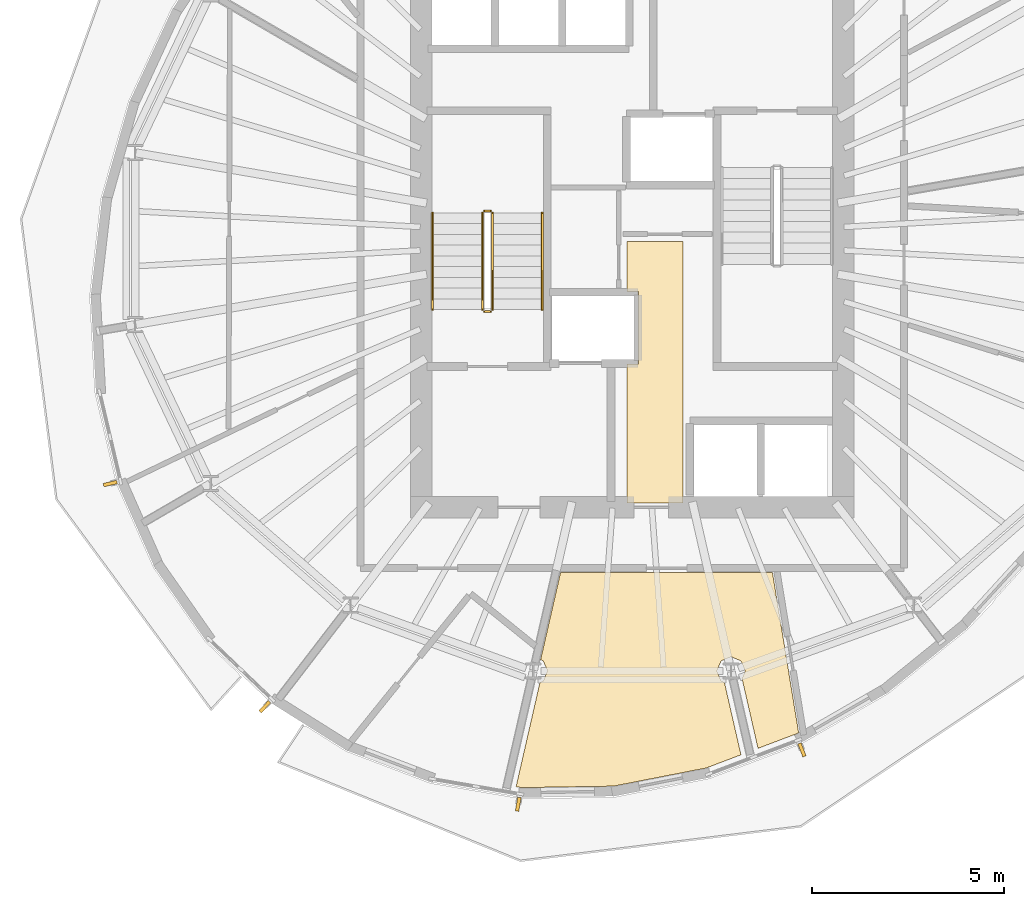
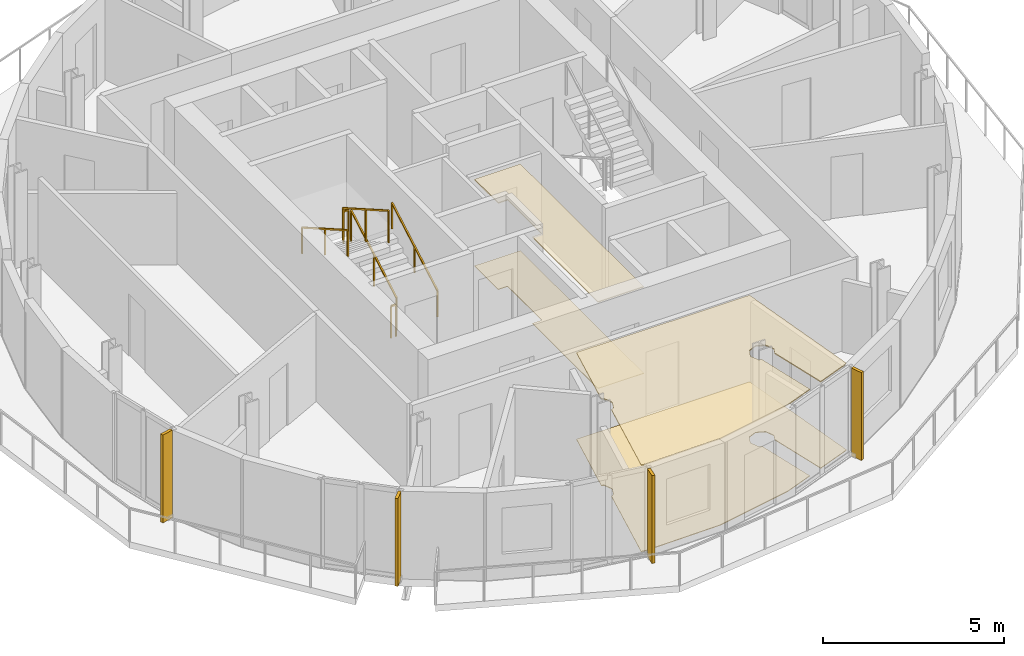
# One storey, part 8 of 11: 6 railings, 4 coverings, 4 shading devices.
"""IFC4 building model written with IfcOpenShell, lengths in metres."""

import ifcopenshell
import ifcopenshell.guid

model = None  # the IFC model being written
_history = None  # IfcOwnerHistory: only IFC2X3 demands one
_inside = {}  # id of a spatial element -> (the spatial element, [elements in it])
_under = {}  # id of a project, library or spatial element -> (it, [spatial elements below it])
_declared = {}  # id of a project -> (the project, [libraries it declares])
_typed = {}  # id of a type object -> (the type object, [elements of that type])
_made_of = {}  # id of a material, layer set ... -> (it, [elements and type objects made of it])


def new_model(schema):
    """Start an empty IFC model of exactly this schema.

    Asked for "IFC4X3", IfcOpenShell would pick the latest addendum, in which some entities
    have other attributes; the version numbers below select the first issue.
    IFC2X3 requires an IfcOwnerHistory on every rooted entity: one is made here for all.
    """
    global model, _history
    if schema == "IFC4X3":
        model = ifcopenshell.file(schema_version=(4, 3, 0, 0))
    else:
        model = ifcopenshell.file(schema=schema)
    _inside.clear()
    _under.clear()
    _declared.clear()
    _typed.clear()
    _made_of.clear()
    _history = None
    if model.schema == "IFC2X3":
        org = make("IfcOrganization", Name="unknown")
        user = make(
            "IfcPersonAndOrganization",
            ThePerson=make("IfcPerson", FamilyName="unknown"),
            TheOrganization=org,
        )
        app = make(
            "IfcApplication",
            ApplicationDeveloper=org,
            Version="unknown",
            ApplicationFullName="unknown",
            ApplicationIdentifier="unknown",
        )
        _history = make(
            "IfcOwnerHistory",
            OwningUser=user,
            OwningApplication=app,
            ChangeAction="ADDED",
            CreationDate=0,
        )
    return model


def make(cls, **values):
    """One entity of the class cls with the attributes given. An attribute that is None is left unset."""
    return model.create_entity(
        cls, **{name: value for name, value in values.items() if value is not None}
    )


def rooted(cls, **values):
    """An entity with a GlobalId (a new one), such as an element, a storey or a relation."""
    return make(cls, GlobalId=ifcopenshell.guid.new(), OwnerHistory=_history, **values)


def si_unit(unit_type, name, prefix=None):
    """IfcSIUnit, for example si_unit("LENGTHUNIT", "METRE", prefix="MILLI")."""
    return make("IfcSIUnit", UnitType=unit_type, Prefix=prefix, Name=name)


def assignment(units):
    """IfcUnitAssignment: the units of a project."""
    return None if units is None else make("IfcUnitAssignment", Units=units)


def point(xyz):
    """IfcCartesianPoint."""
    return None if xyz is None else make("IfcCartesianPoint", Coordinates=xyz)


def direction(xyz):
    """IfcDirection."""
    return None if xyz is None else make("IfcDirection", DirectionRatios=xyz)


def frame(location, z_axis=None, x_axis=None):
    """IfcAxis2Placement3D, a coordinate frame: its origin and axes. An axis left out is left unset."""
    return make(
        "IfcAxis2Placement3D",
        Location=point(location),
        Axis=direction(z_axis),
        RefDirection=direction(x_axis),
    )


def frame_2d(location, x_axis=None):
    """IfcAxis2Placement2D, a coordinate frame in the plane: its origin and x axis."""
    return make(
        "IfcAxis2Placement2D", Location=point(location), RefDirection=direction(x_axis)
    )


def origin():
    """The frame at (0, 0, 0) with its axes left unset."""
    return frame((0.0, 0.0, 0.0))


def origin_2d():
    """The frame at (0, 0) in the plane with its x axis left unset."""
    return frame_2d((0.0, 0.0))


def place(relative_to, where):
    """IfcLocalPlacement: puts the frame where relative to a parent placement (None: the world)."""
    return make(
        "IfcLocalPlacement", PlacementRelTo=relative_to, RelativePlacement=where
    )


def context(
    kind, dimensions, precision=None, world=None, true_north=None, identifier=None
):
    """IfcGeometricRepresentationContext, for example the 3D "Model" context."""
    return make(
        "IfcGeometricRepresentationContext",
        ContextIdentifier=identifier,
        ContextType=kind,
        CoordinateSpaceDimension=dimensions,
        Precision=precision,
        WorldCoordinateSystem=world,
        TrueNorth=true_north,
    )


def subcontext(parent, identifier, kind, view, scale=None):
    """IfcGeometricRepresentationSubContext, for example "Body" below "Model"."""
    return make(
        "IfcGeometricRepresentationSubContext",
        ContextIdentifier=identifier,
        ContextType=kind,
        ParentContext=parent,
        TargetScale=scale,
        TargetView=view,
    )


def project(units=None, contexts=None):
    """IfcProject with its units and contexts."""
    return rooted(
        "IfcProject",
        Name="project",
        RepresentationContexts=contexts,
        UnitsInContext=assignment(units),
    )


def spatial(cls, under=None, at=None, **own):
    """A site, building, storey or space (cls), placed at a placement, below another one or the project."""
    s = rooted(cls, ObjectPlacement=at, **own)
    if under is not None:
        _under.setdefault(under.id(), (under, []))[1].append(s)
    return s


def polyline(points):
    """IfcPolyline through the points."""
    return make("IfcPolyline", Points=[point(p) for p in points])


def profile(cls, at=None, kind="AREA", **sizes):
    """A parametric profile (cls). Its sizes go by their IFC names, for example OverallWidth=200.0."""
    return make(cls, ProfileType=kind, Position=at, **sizes)


def rectangle(**sizes):
    """IfcRectangleProfileDef."""
    return profile("IfcRectangleProfileDef", **sizes)


def outline(outer, holes=None, kind="AREA"):
    """IfcArbitraryClosedProfileDef: a profile drawn as a closed curve; with holes, ...WithVoids."""
    if holes is None:
        return make("IfcArbitraryClosedProfileDef", ProfileType=kind, OuterCurve=outer)
    return make(
        "IfcArbitraryProfileDefWithVoids",
        ProfileType=kind,
        OuterCurve=outer,
        InnerCurves=holes,
    )


def extrude(swept, where, along, depth):
    """IfcExtrudedAreaSolid: the profile swept, set in the frame where, extruded along a direction by depth."""
    return make(
        "IfcExtrudedAreaSolid",
        SweptArea=swept,
        Position=where,
        ExtrudedDirection=direction(along),
        Depth=depth,
    )


def shape(context_of_items, identifier, shape_type, items):
    """IfcShapeRepresentation: the items that make up one representation, for example the "Body"."""
    return make(
        "IfcShapeRepresentation",
        ContextOfItems=context_of_items,
        RepresentationIdentifier=identifier,
        RepresentationType=shape_type,
        Items=items,
    )


def material(Name=None, Category=None):
    """IfcMaterial."""
    return make("IfcMaterial", Name=Name, Category=Category)


def layer(
    of_material, thickness, ventilated=None, Name=None, Category=None, Priority=None
):
    """IfcMaterialLayer: one layer of a wall or slab, of a material (None: an air gap)."""
    return make(
        "IfcMaterialLayer",
        Material=of_material,
        LayerThickness=thickness,
        IsVentilated=ventilated,
        Name=Name,
        Category=Category,
        Priority=Priority,
    )


def layer_set(layers, Name=None):
    """IfcMaterialLayerSet."""
    return make("IfcMaterialLayerSet", MaterialLayers=layers, LayerSetName=Name)


def made_of(thing, what):
    """Note that an element or type object is made of a material, layer set ...; save() writes the relation."""
    if what is not None:
        _made_of.setdefault(what.id(), (what, []))[1].append(thing)
    return thing


def type_object(cls, material=None, **own):
    """A type object (cls), such as IfcWallType, which elements share."""
    return made_of(rooted(cls, **own), material)


def element(
    cls,
    number,
    at=None,
    inside=None,
    cuts=None,
    type_object=None,
    material=None,
    context=None,
    identifier="Body",
    shape_type=None,
    held_by="IfcProductDefinitionShape",
    body=None,
    shapes=None,
    **own,
):
    """One element of the class cls, such as IfcWall. Its Tag is "e" and its number.

    at: its placement. inside: the storey or other place that contains it. cuts: it is an
    opening in that element (IfcRelVoidsElement). A single representation is given by context,
    identifier, shape_type and body (its items); several are given by shapes. held_by: the class
    of the entity that holds the representations. save() writes the other relations.
    """
    e = rooted(cls, Tag="e%d" % number, ObjectPlacement=at, **own)
    if body is not None:
        shapes = [shape(context, identifier, shape_type, body)]
    if shapes is not None:
        e.Representation = make(held_by, Representations=shapes)
    if inside is not None:
        _inside.setdefault(inside.id(), (inside, []))[1].append(e)
    if cuts is not None:
        rooted(
            "IfcRelVoidsElement", RelatingBuildingElement=cuts, RelatedOpeningElement=e
        )
    if type_object is not None:
        _typed.setdefault(type_object.id(), (type_object, []))[1].append(e)
    return made_of(e, material)


def aggregate(whole, parts):
    """IfcRelAggregates: a whole, such as a stair, and the parts it consists of."""
    return rooted("IfcRelAggregates", RelatingObject=whole, RelatedObjects=parts)


def save(model, path):
    """Write the relations noted so far, then the file.

    IfcRelAggregates (storeys below a building ...), IfcRelContainedInSpatialStructure (elements
    in a storey), IfcRelDefinesByType, IfcRelAssociatesMaterial and IfcRelDeclares: one each for
    every whole, place, type object, material and project.
    """
    for whole, parts in _under.values():
        aggregate(whole, parts)
    for where, things in _inside.values():
        rooted(
            "IfcRelContainedInSpatialStructure",
            RelatedElements=things,
            RelatingStructure=where,
        )
    for kind, things in _typed.values():
        rooted("IfcRelDefinesByType", RelatedObjects=things, RelatingType=kind)
    for what, things in _made_of.values():
        rooted("IfcRelAssociatesMaterial", RelatedObjects=things, RelatingMaterial=what)
    for by, libraries in _declared.values():
        rooted("IfcRelDeclares", RelatingContext=by, RelatedDefinitions=libraries)
    model.write(path)


model = new_model("IFC4")

# Units and contexts
model_context = context("Model", 3, precision=1e-05, world=origin(), true_north=direction((0.0, 1.0)))
body_context = subcontext(model_context, "Body", "Model", "MODEL_VIEW")
ifc_project = project(units=[si_unit("LENGTHUNIT", "METRE"), si_unit("AREAUNIT", "SQUARE_METRE"), si_unit("VOLUMEUNIT", "CUBIC_METRE"), si_unit("PLANEANGLEUNIT", "RADIAN"), si_unit("MASSUNIT", "GRAM", prefix="KILO")], contexts=[model_context])

# Site, building, storey
site_placement = place(None, origin())
site = spatial("IfcSite", under=ifc_project, at=site_placement, CompositionType="ELEMENT")
building_placement = place(site_placement, origin())
building = spatial("IfcBuilding", under=site, at=building_placement, Name="Veldorim Arch Residences", CompositionType="ELEMENT")
storey_placement = place(building_placement, frame((0.0, 0.0, 207.840087890625)))
storey = spatial("IfcBuildingStorey", under=building, at=storey_placement, Name="L62", CompositionType="ELEMENT", Elevation=207.840087890625)

# Railings
ifc_material_1 = material(Name="Steel S355", Category="steel")
railing_type_1 = type_object("IfcRailingType", Name="Galvanised Steel Stair Safety Guardrail 1100", PredefinedType="GUARDRAIL", material=ifc_material_1)
railing_1_placement = place(storey_placement, frame((28.360107421875, 22.14990234375, 0.159912109375)))
element("IfcRailing", 1, at=railing_1_placement, inside=storey, type_object=railing_type_1, Name="L62 ST-1 stair guard 1", PredefinedType="GUARDRAIL", context=body_context, shape_type="SweptSolid", body=[
    extrude(rectangle(XDim=0.048095703125, YDim=0.048095703125, at=origin_2d()), frame((0.0, 0.0, 1.076171875), z_axis=(0.0, 0.868253494771, 0.496120820787), x_axis=(-1.0, 0.0, 0.0)), (0.0, 0.0, 1.0), 2.90234375),
    extrude(rectangle(XDim=0.0419921875, YDim=0.0419921875, at=origin_2d()), origin(), (0.0, 0.0, 1.0), 1.052001953125),
    extrude(rectangle(XDim=0.0419921875, YDim=0.0419921875, at=origin_2d()), frame((0.0, 1.260009765625, 0.719970703125)), (0.0, 0.0, 1.0), 1.052001953125),
    extrude(rectangle(XDim=0.0419921875, YDim=0.0419921875, at=origin_2d()), frame((0.0, 2.52001953125, 1.43994140625)), (0.0, 0.0, 1.0), 1.052001953125),
])
railing_2_placement = place(storey_placement, frame((28.31005859375, 24.719970703125, 1.599853515625)))
element("IfcRailing", 2, at=railing_2_placement, inside=storey, type_object=railing_type_1, Name="L62 ST-1 stair guard 2", PredefinedType="GUARDRAIL", context=body_context, shape_type="SweptSolid", body=[
    extrude(rectangle(XDim=0.048095703125, YDim=0.048095703125, at=origin_2d()), frame((0.0, 0.0, 1.076171875), z_axis=(-1.0, 0.0, 0.0), x_axis=(0.0, -1.0, 0.0)), (0.0, 0.0, 1.0), 0.16015625),
    extrude(rectangle(XDim=0.0419921875, YDim=0.0419921875, at=origin_2d()), origin(), (0.0, 0.0, 1.0), 1.052001953125),
    extrude(rectangle(XDim=0.0419921875, YDim=0.0419921875, at=origin_2d()), frame((-0.16015625, 0.0, 0.0)), (0.0, 0.0, 1.0), 1.052001953125),
])
railing_3_placement = place(storey_placement, frame((28.10009765625, 24.669921875, 1.760009765625)))
element("IfcRailing", 3, at=railing_3_placement, inside=storey, type_object=railing_type_1, Name="L62 ST-1 stair guard 3", PredefinedType="GUARDRAIL", context=body_context, shape_type="SweptSolid", body=[
    extrude(rectangle(XDim=0.048095703125, YDim=0.048095703125, at=origin_2d()), frame((0.0, 0.0, 1.076171875), z_axis=(0.0, -0.868253494771, 0.496120820787), x_axis=(1.0, 0.0, 0.0)), (0.0, 0.0, 1.0), 2.90234375),
    extrude(rectangle(XDim=0.0419921875, YDim=0.0419921875, at=origin_2d()), origin(), (0.0, 0.0, 1.0), 1.052001953125),
    extrude(rectangle(XDim=0.0419921875, YDim=0.0419921875, at=origin_2d()), frame((0.0, -1.260009765625, 0.719970703125)), (0.0, 0.0, 1.0), 1.052001953125),
    extrude(rectangle(XDim=0.0419921875, YDim=0.0419921875, at=origin_2d()), frame((0.0, -2.52001953125, 1.43994140625)), (0.0, 0.0, 1.0), 1.052001953125),
])
railing_4_placement = place(storey_placement, frame((28.31005859375, 22.10009765625, 0.0)))
element("IfcRailing", 4, at=railing_4_placement, inside=storey, type_object=railing_type_1, Name="L62 ST-1 stair guard 4", PredefinedType="GUARDRAIL", context=body_context, shape_type="SweptSolid", body=[
    extrude(rectangle(XDim=0.048095703125, YDim=0.048095703125, at=origin_2d()), frame((0.0, 0.0, 1.076171875), z_axis=(-1.0, 0.0, 0.0), x_axis=(0.0, -1.0, 0.0)), (0.0, 0.0, 1.0), 0.16015625),
    extrude(rectangle(XDim=0.0419921875, YDim=0.0419921875, at=origin_2d()), origin(), (0.0, 0.0, 1.0), 1.052001953125),
    extrude(rectangle(XDim=0.0419921875, YDim=0.0419921875, at=origin_2d()), frame((-0.16015625, 0.0, 0.0)), (0.0, 0.0, 1.0), 1.052001953125),
])

# Coverings
ifc_material_2 = material(Name="Acoustic Gypsum & Mineral Fibre", Category="gypsum")
ifc_layer_1 = layer(ifc_material_2, 0.034912109375, Name="Perforated Acoustic Mineral-Fibre Ceiling 35")
ifc_layer_set_1 = layer_set([ifc_layer_1], Name="Acoustic Gypsum & Mineral Fibre")
covering_type_1 = type_object("IfcCoveringType", Name="Perforated Acoustic Mineral-Fibre Ceiling 35", PredefinedType="CEILING", material=ifc_layer_set_1)
covering_1_placement = place(storey_placement, frame((0.0, 0.0, 2.905029296875)))
element("IfcCovering", 5, at=covering_1_placement, inside=storey, type_object=covering_type_1, Name="L62 acoustic suspended ceiling 01", PredefinedType="CEILING", context=body_context, shape_type="SweptSolid", body=[
    extrude(outline(polyline([(33.330078125, 23.929931640625), (33.330078125, 17.1201171875), (31.8701171875, 17.1201171875), (31.8701171875, 20.735107421875), (32.169921875, 20.735107421875), (32.169921875, 22.625), (31.8701171875, 22.625), (31.8701171875, 23.929931640625), (33.330078125, 23.929931640625)])), origin(), (0.0, 0.0, 1.0), 0.034912109375),
])
covering_2_placement = place(storey_placement, frame((0.0, 0.0, 2.905029296875)))
element("IfcCovering", 6, at=covering_2_placement, inside=storey, type_object=covering_type_1, Name="L62 acoustic suspended ceiling 02", PredefinedType="CEILING", context=body_context, shape_type="SweptSolid", body=[
    extrude(outline(polyline([(34.944580078125, 12.740478515625), (34.83642578125, 13.001708984375), (34.5751953125, 13.110107421875), (34.31396484375, 13.001708984375), (34.205810546875, 12.740478515625), (34.31396484375, 12.4794921875), (34.402099609375, 12.443115234375), (34.833740234375, 10.5556640625), (33.926025390625, 10.211669921875), (31.5146484375, 9.73974609375), (29.1201171875, 9.701171875), (28.9765625, 9.7255859375), (29.597900390625, 12.443115234375), (29.68603515625, 12.4794921875), (29.794189453125, 12.740478515625), (29.68603515625, 13.001708984375), (29.614501953125, 13.031494140625), (30.13330078125, 15.300048828125), (35.654296875, 15.300048828125), (36.335205078125, 11.13525390625), (36.280517578125, 11.103759765625), (35.27783203125, 10.723876953125), (34.862060546875, 12.54150390625), (34.944580078125, 12.740478515625)])), origin(), (0.0, 0.0, 1.0), 0.034912109375),
])
ifc_material_3 = material(Name="Porcelain Ceramic Tile", Category="ceramic")
ifc_layer_2 = layer(ifc_material_3, 0.02001953125, Name="Slip-Resistant Porcelain & Vinyl Floor Finish 20")
ifc_layer_set_2 = layer_set([ifc_layer_2], Name="Porcelain Ceramic Tile")
covering_type_2 = type_object("IfcCoveringType", Name="Slip-Resistant Porcelain & Vinyl Floor Finish 20", PredefinedType="FLOORING", material=ifc_layer_set_2)
covering_3_placement = place(storey_placement, origin())
element("IfcCovering", 7, at=covering_3_placement, inside=storey, type_object=covering_type_2, Name="L62 porcelain floor finish 01", PredefinedType="FLOORING", context=body_context, shape_type="SweptSolid", body=[
    extrude(outline(polyline([(33.330078125, 23.929931640625), (33.330078125, 17.1201171875), (31.8701171875, 17.1201171875), (31.8701171875, 20.735107421875), (32.169921875, 20.735107421875), (32.169921875, 22.625), (31.8701171875, 22.625), (31.8701171875, 23.929931640625), (33.330078125, 23.929931640625)])), origin(), (0.0, 0.0, 1.0), 0.02001953125),
])
covering_4_placement = place(storey_placement, origin())
element("IfcCovering", 8, at=covering_4_placement, inside=storey, type_object=covering_type_2, Name="L62 porcelain floor finish 02", PredefinedType="FLOORING", context=body_context, shape_type="SweptSolid", body=[
    extrude(outline(polyline([(34.944580078125, 12.740478515625), (34.83642578125, 13.001708984375), (34.5751953125, 13.110107421875), (34.31396484375, 13.001708984375), (34.205810546875, 12.740478515625), (34.31396484375, 12.4794921875), (34.402099609375, 12.443115234375), (34.833740234375, 10.5556640625), (33.926025390625, 10.211669921875), (31.5146484375, 9.73974609375), (29.1201171875, 9.701171875), (28.9765625, 9.7255859375), (29.597900390625, 12.443115234375), (29.68603515625, 12.4794921875), (29.794189453125, 12.740478515625), (29.68603515625, 13.001708984375), (29.614501953125, 13.031494140625), (30.13330078125, 15.300048828125), (35.654296875, 15.300048828125), (36.335205078125, 11.13525390625), (36.280517578125, 11.103759765625), (35.27783203125, 10.723876953125), (34.862060546875, 12.54150390625), (34.944580078125, 12.740478515625)])), origin(), (0.0, 0.0, 1.0), 0.02001953125),
])

# Railings
ifc_material_4 = material(Name="Stainless Steel", Category="steel")
railing_type_2 = type_object("IfcRailingType", Name="Tubular Steel Continuous Wall Handrail 900", PredefinedType="HANDRAIL", material=ifc_material_4)
railing_5_placement = place(storey_placement, frame((29.659912109375, 22.14990234375, 0.159912109375)))
element("IfcRailing", 9, at=railing_5_placement, inside=storey, type_object=railing_type_2, Name="L62 ST-1 stair handrail 1", PredefinedType="HANDRAIL", context=body_context, shape_type="SweptSolid", body=[
    extrude(rectangle(XDim=0.048095703125, YDim=0.048095703125, at=origin_2d()), frame((0.0, 0.0, 0.8759765625), z_axis=(0.0, 0.868253494771, 0.496120820787), x_axis=(-1.0, 0.0, 0.0)), (0.0, 0.0, 1.0), 2.90234375),
    extrude(rectangle(XDim=0.0419921875, YDim=0.0419921875, at=origin_2d()), origin(), (0.0, 0.0, 1.0), 0.851806640625),
    extrude(rectangle(XDim=0.0419921875, YDim=0.0419921875, at=origin_2d()), frame((0.0, 1.260009765625, 0.719970703125)), (0.0, 0.0, 1.0), 0.851806640625),
    extrude(rectangle(XDim=0.0419921875, YDim=0.0419921875, at=origin_2d()), frame((0.0, 2.52001953125, 1.43994140625)), (0.0, 0.0, 1.0), 0.851806640625),
])
railing_6_placement = place(storey_placement, frame((26.800048828125, 24.669921875, 1.760009765625)))
element("IfcRailing", 10, at=railing_6_placement, inside=storey, type_object=railing_type_2, Name="L62 ST-1 stair handrail 2", PredefinedType="HANDRAIL", context=body_context, shape_type="SweptSolid", body=[
    extrude(rectangle(XDim=0.048095703125, YDim=0.048095703125, at=origin_2d()), frame((0.0, 0.0, 0.8759765625), z_axis=(0.0, -0.868253494771, 0.496120820787), x_axis=(1.0, 0.0, 0.0)), (0.0, 0.0, 1.0), 2.90234375),
    extrude(rectangle(XDim=0.0419921875, YDim=0.0419921875, at=origin_2d()), origin(), (0.0, 0.0, 1.0), 0.851806640625),
    extrude(rectangle(XDim=0.0419921875, YDim=0.0419921875, at=origin_2d()), frame((0.0, -1.260009765625, 0.719970703125)), (0.0, 0.0, 1.0), 0.851806640625),
    extrude(rectangle(XDim=0.0419921875, YDim=0.0419921875, at=origin_2d()), frame((0.0, -2.52001953125, 1.43994140625)), (0.0, 0.0, 1.0), 0.851806640625),
])

# Shading devices
ifc_material_5 = material(Name="Terracotta Ceramic", Category="masonry")
ifc_layer_3 = layer(ifc_material_5, 0.090087890625, Name="Vertical Extruded Terracotta Baguette Sun-Shading Fin")
ifc_layer_set_3 = layer_set([ifc_layer_3], Name="Terracotta Ceramic")
shading_device_type = type_object("IfcShadingDeviceType", Name="Vertical Extruded Terracotta Baguette Sun-Shading Fin", PredefinedType="USERDEFINED", material=ifc_layer_set_3)
for number, where, z_axis, x_axis, name in (
    (11, (18.40625, 17.621337890625, 0.0), (0.0, 0.0, 1.0), (-0.228860603507, 0.973459205187, 0.0), "L62 vertical terracotta sun-shading fin 15"),
    (12, (22.431640625, 11.808349609375, 0.0), (0.0, 0.0, 1.0), (-0.723328791975, 0.690503771677, 0.0), "L62 vertical terracotta sun-shading fin 18"),
    (13, (29.032470703125, 9.26708984375, 0.0), (0.0, 0.0, 1.0), (-0.985674047132, 0.168661414708, 0.0), "L62 vertical terracotta sun-shading fin 21"),
    (14, (36.422119140625, 10.68408203125, 0.0), (0.0, 0.0, 1.0), (-0.935135209686, -0.354291037998, 0.0), "L62 vertical terracotta sun-shading fin 24"),
):
    element("IfcShadingDevice", number, at=place(storey_placement, frame(where, z_axis=z_axis, x_axis=x_axis)), inside=storey, type_object=shading_device_type, Name=name, ObjectType="FIN", PredefinedType="USERDEFINED", context=body_context, shape_type="SweptSolid", body=[
        extrude(rectangle(XDim=0.090087890625, YDim=0.360107421875, at=origin_2d()), origin(), (0.0, 0.0, 1.0), 2.9599609375),
    ])

save(model, "model.ifc")
